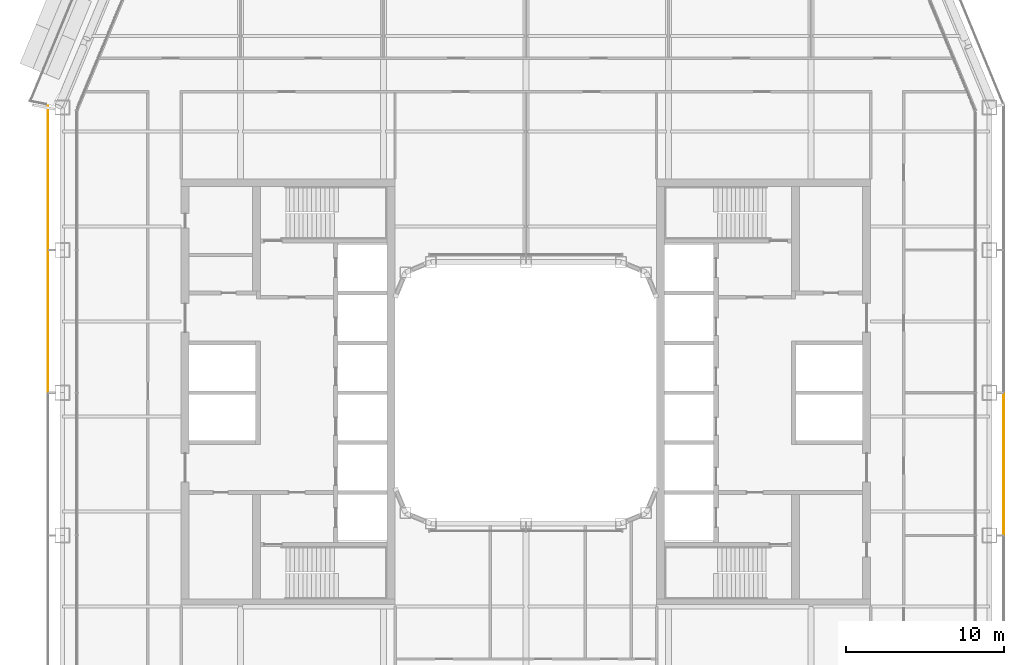
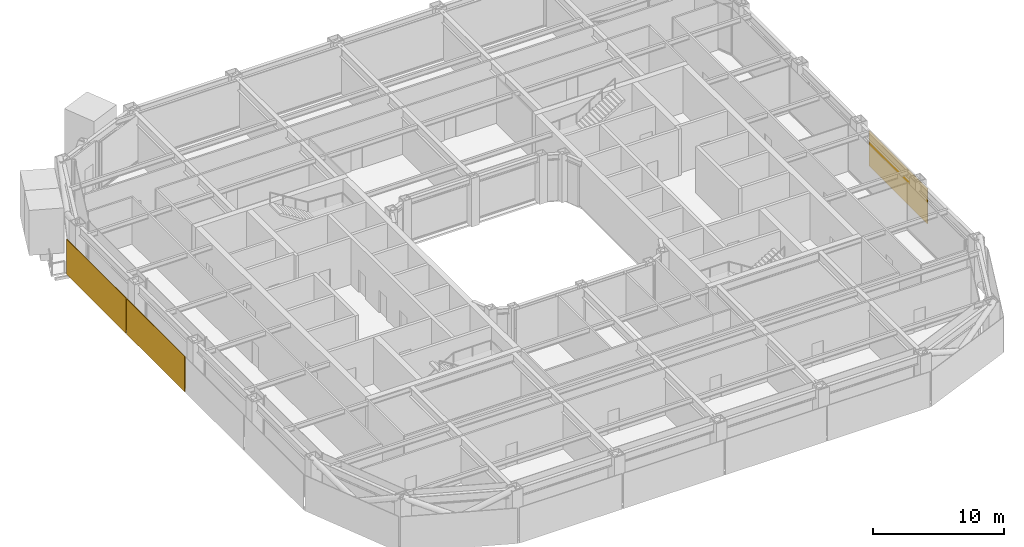
# One storey, part 20 of 23: 3 coverings.
"""IFC4 building model written with IfcOpenShell, lengths in metres."""

from ifc_helpers import new_model, si_unit, direction, frame, origin, origin_2d, place, context, subcontext, project, spatial, rectangle, extrude, material, layer, layer_set, type_object, element, save


model = new_model("IFC4")

# Units and contexts
model_context = context("Model", 3, precision=1e-05, world=origin(), true_north=direction((0.0, 1.0)))
body_context = subcontext(model_context, "Body", "Model", "MODEL_VIEW")
ifc_project = project(units=[si_unit("LENGTHUNIT", "METRE"), si_unit("AREAUNIT", "SQUARE_METRE"), si_unit("VOLUMEUNIT", "CUBIC_METRE"), si_unit("PLANEANGLEUNIT", "RADIAN"), si_unit("MASSUNIT", "GRAM", prefix="KILO")], contexts=[model_context])

# Site, building, storey
site_placement = place(None, origin())
site = spatial("IfcSite", under=ifc_project, at=site_placement, CompositionType="ELEMENT")
building_placement = place(site_placement, origin())
building = spatial("IfcBuilding", under=site, at=building_placement, Name="Siwar Civic Tower", CompositionType="ELEMENT")
storey_placement = place(building_placement, frame((0.0, 0.0, 136.199951171875)))
storey = spatial("IfcBuildingStorey", under=building, at=storey_placement, Name="L29", CompositionType="ELEMENT", Elevation=136.199951171875)

# Coverings
ifc_material_1 = material(Name="Perforated aluminium cassette, pale metal", Category="aluminium")
ifc_layer_1 = layer(ifc_material_1, 0.0400390625)
ifc_layer_set_1 = layer_set([ifc_layer_1], Name="Perforated aluminium cassette, pale metal")
covering_type_1 = type_object("IfcCoveringType", Name="ENV-OUTER SKIN OS-1", PredefinedType="CLADDING", material=ifc_layer_set_1)
covering_1_placement = place(storey_placement, frame((30.14990234375, -4.5, -0.14990234375), z_axis=(0.0, 0.0, 1.0), x_axis=(0.0, 1.0, 0.0)))
element("IfcCovering", 1, at=covering_1_placement, inside=storey, type_object=covering_type_1, Name="OUTER SKIN OS-1 E 2", PredefinedType="CLADDING", context=body_context, shape_type="SweptSolid", body=[
    extrude(rectangle(XDim=8.89990234375, YDim=0.0400390625, at=origin_2d()), origin(), (0.0, 0.0, 1.0), 3.300048828125),
])
ifc_material_2 = material(Name="Perforated aluminium cassette, pale metal", Category="aluminium")
ifc_layer_2 = layer(ifc_material_2, 0.050048828125)
ifc_layer_set_2 = layer_set([ifc_layer_2], Name="Perforated aluminium cassette, pale metal")
covering_type_2 = type_object("IfcCoveringType", Name="ENV-OUTER SKIN OS-3", PredefinedType="CLADDING", material=ifc_layer_set_2)
covering_2_placement = place(storey_placement, frame((-30.14990234375, 13.57958984375, -0.14990234375), z_axis=(0.0, 0.0, 1.0), x_axis=(0.0, -1.0, 0.0)))
element("IfcCovering", 2, at=covering_2_placement, inside=storey, type_object=covering_type_2, Name="OUTER SKIN OS-3 W 1", PredefinedType="CLADDING", context=body_context, shape_type="SweptSolid", body=[
    extrude(rectangle(XDim=9.05908203125, YDim=0.050048828125, at=origin_2d()), origin(), (0.0, 0.0, 1.0), 3.300048828125),
])
covering_3_placement = place(storey_placement, frame((-30.14990234375, 4.5, -0.14990234375), z_axis=(0.0, 0.0, 1.0), x_axis=(0.0, -1.0, 0.0)))
element("IfcCovering", 3, at=covering_3_placement, inside=storey, type_object=covering_type_2, Name="OUTER SKIN OS-3 W 2", PredefinedType="CLADDING", context=body_context, shape_type="SweptSolid", body=[
    extrude(rectangle(XDim=8.89990234375, YDim=0.050048828125, at=origin_2d()), origin(), (0.0, 0.0, 1.0), 3.300048828125),
])

save(model, "model.ifc")
